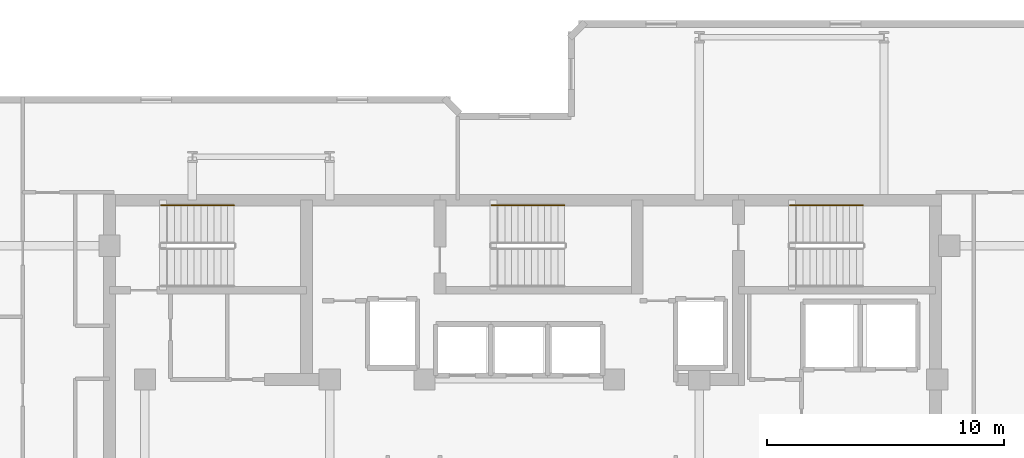
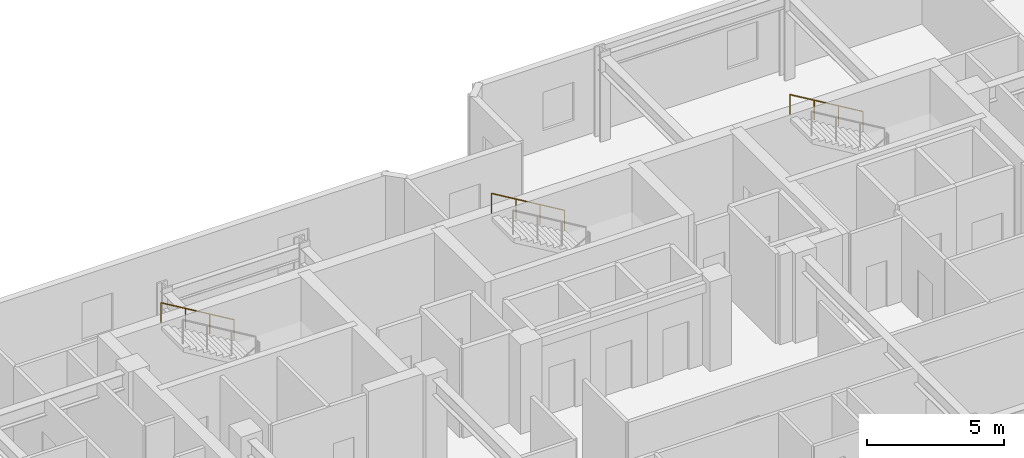
# One storey, part 11 of 11: 3 railings.
"""IFC4 building model written with IfcOpenShell, lengths in metres."""

from ifc_helpers import new_model, si_unit, direction, frame, origin, origin_2d, place, context, subcontext, project, spatial, circle, extrude, material, type_object, element, save


model = new_model("IFC4")

# Units and contexts
model_context = context("Model", 3, precision=1e-05, world=origin(), true_north=direction((0.0, 1.0)))
body_context = subcontext(model_context, "Body", "Model", "MODEL_VIEW")
ifc_project = project(units=[si_unit("LENGTHUNIT", "METRE"), si_unit("AREAUNIT", "SQUARE_METRE"), si_unit("VOLUMEUNIT", "CUBIC_METRE"), si_unit("PLANEANGLEUNIT", "RADIAN"), si_unit("MASSUNIT", "GRAM", prefix="KILO")], contexts=[model_context])

# Site, building, storey
site_placement = place(None, origin())
site = spatial("IfcSite", under=ifc_project, at=site_placement, CompositionType="ELEMENT")
building_placement = place(site_placement, origin())
building = spatial("IfcBuilding", under=site, at=building_placement, Name="Kestravale Grand Hotel", CompositionType="ELEMENT")
storey_placement = place(building_placement, frame((0.0, 0.0, 265.39990234375)))
storey = spatial("IfcBuildingStorey", under=building, at=storey_placement, Name="L66", CompositionType="ELEMENT", Elevation=265.39990234375)

# Railings
ifc_material = material(Name="Brushed stainless steel wall handrail", Category="steel")
railing_type = type_object("IfcRailingType", Name="RL-ST-HND900", PredefinedType="HANDRAIL", material=ifc_material)
railing_placement = place(storey_placement, frame((27.159912109375, 40.110107421875, 2.166748046875)))
element("IfcRailing", 1, at=railing_placement, inside=storey, type_object=railing_type, Name="L66 ST-1 stair handrail 2", PredefinedType="HANDRAIL", context=body_context, shape_type="SweptSolid", body=[
    extrude(circle(Radius=0.02392578125, at=origin_2d()), frame((0.0, 0.0, 0.8759765625), z_axis=(-0.859290745958, 0.0, 0.51148745235), x_axis=(0.0, -1.0, 0.0)), (0.0, 0.0, 1.0), 3.584228515625),
    extrude(circle(Radius=0.02099609375, at=origin_2d()), origin(), (0.0, 0.0, 1.0), 0.851806640625),
    extrude(circle(Radius=0.02099609375, at=origin_2d()), frame((-1.026611328125, 0.0, 0.611083984375)), (0.0, 0.0, 1.0), 0.851806640625),
    extrude(circle(Radius=0.02099609375, at=origin_2d()), frame((-2.05322265625, 0.0, 1.22216796875)), (0.0, 0.0, 1.0), 0.851806640625),
    extrude(circle(Radius=0.02099609375, at=origin_2d()), frame((-3.079833984375, 0.0, 1.833251953125)), (0.0, 0.0, 1.0), 0.851806640625),
])
for number, where, name in (
    (2, (41.110107421875, 40.110107421875, 2.166748046875), "L66 ST-2 stair handrail 2"),
    (3, (53.7099609375, 40.110107421875, 2.166748046875), "L66 ST-3 stair handrail 2"),
):
    element("IfcRailing", number, at=place(storey_placement, frame(where)), inside=storey, type_object=railing_type, Name=name, PredefinedType="HANDRAIL", context=body_context, shape_type="SweptSolid", body=[
        extrude(circle(Radius=0.02392578125, at=origin_2d()), frame((0.0, 0.0, 0.8759765625), z_axis=(-0.859308565015, 0.0, 0.511457515432), x_axis=(0.0, -1.0, 0.0)), (0.0, 0.0, 1.0), 3.58447265625),
        extrude(circle(Radius=0.02099609375, at=origin_2d()), origin(), (0.0, 0.0, 1.0), 0.851806640625),
        extrude(circle(Radius=0.02099609375, at=origin_2d()), frame((-1.026611328125, 0.0, 0.611083984375)), (0.0, 0.0, 1.0), 0.851806640625),
        extrude(circle(Radius=0.02099609375, at=origin_2d()), frame((-2.053466796875, 0.0, 1.22216796875)), (0.0, 0.0, 1.0), 0.851806640625),
        extrude(circle(Radius=0.02099609375, at=origin_2d()), frame((-3.080078125, 0.0, 1.833251953125)), (0.0, 0.0, 1.0), 0.851806640625),
    ])

save(model, "model.ifc")
